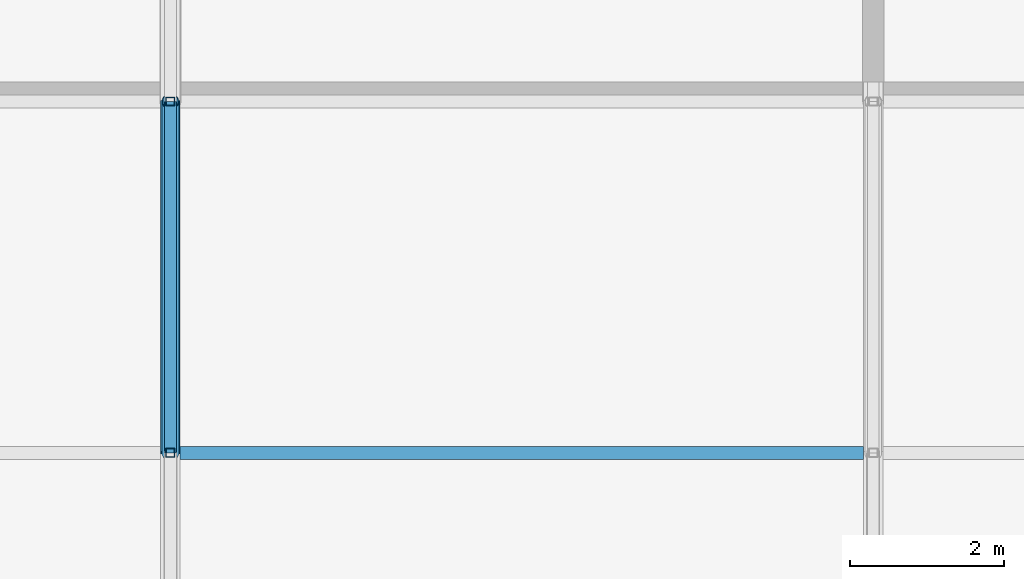
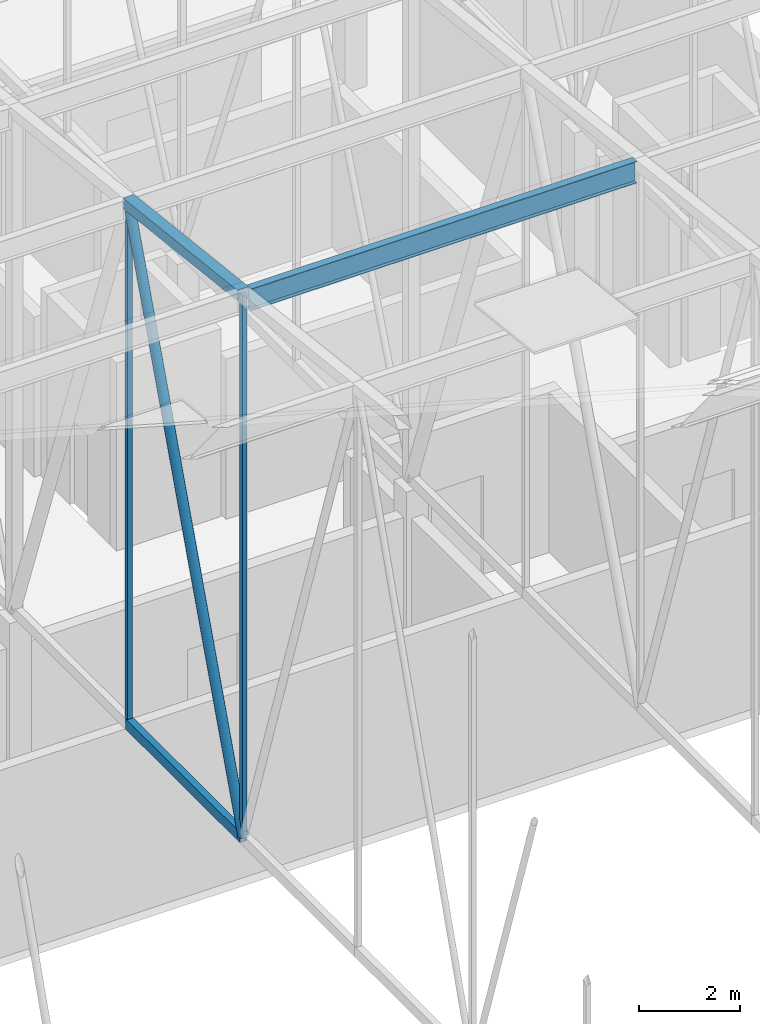
# One storey, part 177 of 500: 6 members.
"""IFC4 building model written with IfcOpenShell, lengths in metres."""

import ifcopenshell
import ifcopenshell.guid

model = None  # the IFC model being written
_history = None  # IfcOwnerHistory: only IFC2X3 demands one
_inside = {}  # id of a spatial element -> (the spatial element, [elements in it])
_under = {}  # id of a project, library or spatial element -> (it, [spatial elements below it])
_declared = {}  # id of a project -> (the project, [libraries it declares])
_typed = {}  # id of a type object -> (the type object, [elements of that type])
_made_of = {}  # id of a material, layer set ... -> (it, [elements and type objects made of it])


def new_model(schema):
    """Start an empty IFC model of exactly this schema.

    Asked for "IFC4X3", IfcOpenShell would pick the latest addendum, in which some entities
    have other attributes; the version numbers below select the first issue.
    IFC2X3 requires an IfcOwnerHistory on every rooted entity: one is made here for all.
    """
    global model, _history
    if schema == "IFC4X3":
        model = ifcopenshell.file(schema_version=(4, 3, 0, 0))
    else:
        model = ifcopenshell.file(schema=schema)
    _inside.clear()
    _under.clear()
    _declared.clear()
    _typed.clear()
    _made_of.clear()
    _history = None
    if model.schema == "IFC2X3":
        org = make("IfcOrganization", Name="unknown")
        user = make(
            "IfcPersonAndOrganization",
            ThePerson=make("IfcPerson", FamilyName="unknown"),
            TheOrganization=org,
        )
        app = make(
            "IfcApplication",
            ApplicationDeveloper=org,
            Version="unknown",
            ApplicationFullName="unknown",
            ApplicationIdentifier="unknown",
        )
        _history = make(
            "IfcOwnerHistory",
            OwningUser=user,
            OwningApplication=app,
            ChangeAction="ADDED",
            CreationDate=0,
        )
    return model


def make(cls, **values):
    """One entity of the class cls with the attributes given. An attribute that is None is left unset."""
    return model.create_entity(
        cls, **{name: value for name, value in values.items() if value is not None}
    )


def rooted(cls, **values):
    """An entity with a GlobalId (a new one), such as an element, a storey or a relation."""
    return make(cls, GlobalId=ifcopenshell.guid.new(), OwnerHistory=_history, **values)


def si_unit(unit_type, name, prefix=None):
    """IfcSIUnit, for example si_unit("LENGTHUNIT", "METRE", prefix="MILLI")."""
    return make("IfcSIUnit", UnitType=unit_type, Prefix=prefix, Name=name)


def assignment(units):
    """IfcUnitAssignment: the units of a project."""
    return None if units is None else make("IfcUnitAssignment", Units=units)


def point(xyz):
    """IfcCartesianPoint."""
    return None if xyz is None else make("IfcCartesianPoint", Coordinates=xyz)


def direction(xyz):
    """IfcDirection."""
    return None if xyz is None else make("IfcDirection", DirectionRatios=xyz)


def frame(location, z_axis=None, x_axis=None):
    """IfcAxis2Placement3D, a coordinate frame: its origin and axes. An axis left out is left unset."""
    return make(
        "IfcAxis2Placement3D",
        Location=point(location),
        Axis=direction(z_axis),
        RefDirection=direction(x_axis),
    )


def frame_2d(location, x_axis=None):
    """IfcAxis2Placement2D, a coordinate frame in the plane: its origin and x axis."""
    return make(
        "IfcAxis2Placement2D", Location=point(location), RefDirection=direction(x_axis)
    )


def origin():
    """The frame at (0, 0, 0) with its axes left unset."""
    return frame((0.0, 0.0, 0.0))


def origin_2d():
    """The frame at (0, 0) in the plane with its x axis left unset."""
    return frame_2d((0.0, 0.0))


def place(relative_to, where):
    """IfcLocalPlacement: puts the frame where relative to a parent placement (None: the world)."""
    return make(
        "IfcLocalPlacement", PlacementRelTo=relative_to, RelativePlacement=where
    )


def context(
    kind, dimensions, precision=None, world=None, true_north=None, identifier=None
):
    """IfcGeometricRepresentationContext, for example the 3D "Model" context."""
    return make(
        "IfcGeometricRepresentationContext",
        ContextIdentifier=identifier,
        ContextType=kind,
        CoordinateSpaceDimension=dimensions,
        Precision=precision,
        WorldCoordinateSystem=world,
        TrueNorth=true_north,
    )


def subcontext(parent, identifier, kind, view, scale=None):
    """IfcGeometricRepresentationSubContext, for example "Body" below "Model"."""
    return make(
        "IfcGeometricRepresentationSubContext",
        ContextIdentifier=identifier,
        ContextType=kind,
        ParentContext=parent,
        TargetScale=scale,
        TargetView=view,
    )


def project(units=None, contexts=None):
    """IfcProject with its units and contexts."""
    return rooted(
        "IfcProject",
        Name="project",
        RepresentationContexts=contexts,
        UnitsInContext=assignment(units),
    )


def spatial(cls, under=None, at=None, **own):
    """A site, building, storey or space (cls), placed at a placement, below another one or the project."""
    s = rooted(cls, ObjectPlacement=at, **own)
    if under is not None:
        _under.setdefault(under.id(), (under, []))[1].append(s)
    return s


def profile(cls, at=None, kind="AREA", **sizes):
    """A parametric profile (cls). Its sizes go by their IFC names, for example OverallWidth=200.0."""
    return make(cls, ProfileType=kind, Position=at, **sizes)


def hollow_rectangle(**sizes):
    """IfcRectangleHollowProfileDef."""
    return profile("IfcRectangleHollowProfileDef", **sizes)


def hollow_circle(**sizes):
    """IfcCircleHollowProfileDef."""
    return profile("IfcCircleHollowProfileDef", **sizes)


def i_section(**sizes):
    """IfcIShapeProfileDef."""
    return profile("IfcIShapeProfileDef", **sizes)


def extrude(swept, where, along, depth):
    """IfcExtrudedAreaSolid: the profile swept, set in the frame where, extruded along a direction by depth."""
    return make(
        "IfcExtrudedAreaSolid",
        SweptArea=swept,
        Position=where,
        ExtrudedDirection=direction(along),
        Depth=depth,
    )


def shape(context_of_items, identifier, shape_type, items):
    """IfcShapeRepresentation: the items that make up one representation, for example the "Body"."""
    return make(
        "IfcShapeRepresentation",
        ContextOfItems=context_of_items,
        RepresentationIdentifier=identifier,
        RepresentationType=shape_type,
        Items=items,
    )


def material(Name=None, Category=None):
    """IfcMaterial."""
    return make("IfcMaterial", Name=Name, Category=Category)


def material_profile(
    of_material, cross_section, Name=None, Category=None, Priority=None
):
    """IfcMaterialProfile: a cross section and its material."""
    return make(
        "IfcMaterialProfile",
        Name=Name,
        Material=of_material,
        Profile=cross_section,
        Priority=Priority,
        Category=Category,
    )


def profile_set(profiles, Name=None, composite=None):
    """IfcMaterialProfileSet."""
    return make(
        "IfcMaterialProfileSet",
        Name=Name,
        MaterialProfiles=profiles,
        CompositeProfile=composite,
    )


def made_of(thing, what):
    """Note that an element or type object is made of a material, layer set ...; save() writes the relation."""
    if what is not None:
        _made_of.setdefault(what.id(), (what, []))[1].append(thing)
    return thing


def type_object(cls, material=None, **own):
    """A type object (cls), such as IfcWallType, which elements share."""
    return made_of(rooted(cls, **own), material)


def element(
    cls,
    number,
    at=None,
    inside=None,
    cuts=None,
    type_object=None,
    material=None,
    context=None,
    identifier="Body",
    shape_type=None,
    held_by="IfcProductDefinitionShape",
    body=None,
    shapes=None,
    **own,
):
    """One element of the class cls, such as IfcWall. Its Tag is "e" and its number.

    at: its placement. inside: the storey or other place that contains it. cuts: it is an
    opening in that element (IfcRelVoidsElement). A single representation is given by context,
    identifier, shape_type and body (its items); several are given by shapes. held_by: the class
    of the entity that holds the representations. save() writes the other relations.
    """
    e = rooted(cls, Tag="e%d" % number, ObjectPlacement=at, **own)
    if body is not None:
        shapes = [shape(context, identifier, shape_type, body)]
    if shapes is not None:
        e.Representation = make(held_by, Representations=shapes)
    if inside is not None:
        _inside.setdefault(inside.id(), (inside, []))[1].append(e)
    if cuts is not None:
        rooted(
            "IfcRelVoidsElement", RelatingBuildingElement=cuts, RelatedOpeningElement=e
        )
    if type_object is not None:
        _typed.setdefault(type_object.id(), (type_object, []))[1].append(e)
    return made_of(e, material)


def aggregate(whole, parts):
    """IfcRelAggregates: a whole, such as a stair, and the parts it consists of."""
    return rooted("IfcRelAggregates", RelatingObject=whole, RelatedObjects=parts)


def save(model, path):
    """Write the relations noted so far, then the file.

    IfcRelAggregates (storeys below a building ...), IfcRelContainedInSpatialStructure (elements
    in a storey), IfcRelDefinesByType, IfcRelAssociatesMaterial and IfcRelDeclares: one each for
    every whole, place, type object, material and project.
    """
    for whole, parts in _under.values():
        aggregate(whole, parts)
    for where, things in _inside.values():
        rooted(
            "IfcRelContainedInSpatialStructure",
            RelatedElements=things,
            RelatingStructure=where,
        )
    for kind, things in _typed.values():
        rooted("IfcRelDefinesByType", RelatedObjects=things, RelatingType=kind)
    for what, things in _made_of.values():
        rooted("IfcRelAssociatesMaterial", RelatedObjects=things, RelatingMaterial=what)
    for by, libraries in _declared.values():
        rooted("IfcRelDeclares", RelatingContext=by, RelatedDefinitions=libraries)
    model.write(path)


model = new_model("IFC4")

# Units and contexts
model_context = context("Model", 3, precision=1e-05, world=origin(), true_north=direction((0.0, 1.0)))
body_context = subcontext(model_context, "Body", "Model", "MODEL_VIEW")
ifc_project = project(units=[si_unit("LENGTHUNIT", "METRE"), si_unit("AREAUNIT", "SQUARE_METRE"), si_unit("VOLUMEUNIT", "CUBIC_METRE"), si_unit("PLANEANGLEUNIT", "RADIAN"), si_unit("MASSUNIT", "GRAM", prefix="KILO")], contexts=[model_context])

# Site, building, storey
site_placement = place(None, origin())
site = spatial("IfcSite", under=ifc_project, at=site_placement, CompositionType="ELEMENT")
building_placement = place(site_placement, origin())
building = spatial("IfcBuilding", under=site, at=building_placement, Name="Shirokan Park Arena", CompositionType="ELEMENT")
storey_placement = place(building_placement, frame((0.0, 0.0, 29.1201171875)))
storey = spatial("IfcBuildingStorey", under=building, at=storey_placement, Name="L06", CompositionType="ELEMENT", Elevation=29.1201171875)

# Members
ifc_material_1 = material(Name="Steel ASTM A500 Grade C", Category="steel")
ifc_material_profile_1 = material_profile(ifc_material_1, hollow_rectangle(XDim=0.152099609375, YDim=0.25390625, WallThickness=0.009521484375, at=origin_2d()), Name="HSS254X152.4X9.5")
ifc_profile_set_1 = profile_set([ifc_material_profile_1], Name="Steel ASTM A500 Grade C")
member_type_1 = type_object("IfcMemberType", Name="Bottom chord HSS254X152.4X9.5", PredefinedType="CHORD", material=ifc_profile_set_1)
member_1_placement = place(storey_placement, frame((18.199951171875, 63.699951171875, 4.677001953125), z_axis=(0.0, 1.0, 0.0), x_axis=(-1.0, 0.0, 0.0)))
element("IfcMember", 1, at=member_1_placement, inside=storey, type_object=member_type_1, Name="Truss T03 bottom chord 17", PredefinedType="CHORD", context=body_context, shape_type="SweptSolid", body=[
    extrude(hollow_rectangle(XDim=0.152099609375, YDim=0.25390625, WallThickness=0.009521484375, at=origin_2d()), origin(), (0.0, 0.0, 1.0), 4.550048828125),
])
ifc_material_2 = material(Name="Steel ASTM A992", Category="steel")
ifc_material_profile_2 = material_profile(ifc_material_2, i_section(OverallWidth=0.166015625, OverallDepth=0.528076171875, WebThickness=0.009765625, FlangeThickness=0.013671875, at=origin_2d()), Name="W530X74")
ifc_profile_set_2 = profile_set([ifc_material_profile_2], Name="Steel ASTM A992")
member_type_2 = type_object("IfcMemberType", Name="Purlin W530X74", PredefinedType="PURLIN", material=ifc_profile_set_2)
member_2_placement = place(storey_placement, frame((18.326904296875, 63.699951171875, 17.685791015625), z_axis=(1.0, 0.0, 0.0), x_axis=(0.0, 1.0, 0.0)))
element("IfcMember", 2, at=member_2_placement, inside=storey, type_object=member_type_2, Name="Purlin 17 bay 3", PredefinedType="PURLIN", context=body_context, shape_type="SweptSolid", body=[
    extrude(i_section(OverallWidth=0.166015625, OverallDepth=0.528076171875, WebThickness=0.009765625, FlangeThickness=0.013671875, at=origin_2d()), origin(), (0.0, 0.0, 1.0), 8.84619140625),
])
ifc_material_profile_3 = material_profile(ifc_material_1, hollow_rectangle(XDim=0.25390625, YDim=0.25390625, WallThickness=0.009521484375, at=origin_2d()), Name="HSS254X254X9.5")
ifc_profile_set_3 = profile_set([ifc_material_profile_3], Name="Steel ASTM A500 Grade C")
member_type_3 = type_object("IfcMemberType", Name="Top chord HSS254X254X9.5", PredefinedType="CHORD", material=ifc_profile_set_3)
member_3_placement = place(storey_placement, frame((18.199951171875, 63.699951171875, 17.822998046875), z_axis=(0.0, 0.993532328996, -0.113549598152), x_axis=(-1.0, 0.0, 0.0)))
element("IfcMember", 3, at=member_3_placement, inside=storey, type_object=member_type_3, Name="Truss T03 top chord 17", PredefinedType="CHORD", context=body_context, shape_type="SweptSolid", body=[
    extrude(hollow_rectangle(XDim=0.25390625, YDim=0.25390625, WallThickness=0.009521484375, at=origin_2d()), origin(), (0.0, 0.0, 1.0), 4.57958984375),
])
ifc_material_profile_4 = material_profile(ifc_material_1, hollow_circle(Radius=0.109619140625, WallThickness=0.009521484375, at=origin_2d()), Name="HSS219.1X9.5")
ifc_profile_set_4 = profile_set([ifc_material_profile_4], Name="Steel ASTM A500 Grade C")
member_type_4 = type_object("IfcMemberType", Name="Truss diagonal HSS219.1X9.5", PredefinedType="BRACE", material=ifc_profile_set_4)
member_4_placement = place(storey_placement, frame((18.199951171875, 63.699951171875, 4.677001953125), z_axis=(0.0, 0.339029292845, 0.940775817394), x_axis=(-1.0, 0.0, 0.0)))
element("IfcMember", 4, at=member_4_placement, inside=storey, type_object=member_type_4, Name="Truss T03 diagonal 17", PredefinedType="BRACE", context=body_context, shape_type="SweptSolid", body=[
    extrude(hollow_circle(Radius=0.109619140625, WallThickness=0.009521484375, at=origin_2d()), origin(), (0.0, 0.0, 1.0), 13.4208984375),
])
ifc_material_profile_5 = material_profile(ifc_material_1, hollow_rectangle(XDim=0.114013671875, YDim=0.114013671875, WallThickness=0.00634765625, at=origin_2d()), Name="HSS114.3X114.3X6.4")
ifc_profile_set_5 = profile_set([ifc_material_profile_5], Name="Steel ASTM A500 Grade C")
member_type_5 = type_object("IfcMemberType", Name="Truss post HSS114.3X114.3X6.4", PredefinedType="POST", material=ifc_profile_set_5)
member_5_placement = place(storey_placement, frame((18.199951171875, 63.699951171875, 4.677001953125), z_axis=(0.0, 0.0, 1.0), x_axis=(1.0, 0.0, 0.0)))
element("IfcMember", 5, at=member_5_placement, inside=storey, type_object=member_type_5, Name="Truss T03 post 17", PredefinedType="POST", context=body_context, shape_type="SweptSolid", body=[
    extrude(hollow_rectangle(XDim=0.114013671875, YDim=0.114013671875, WallThickness=0.00634765625, at=origin_2d()), origin(), (0.0, 0.0, 1.0), 13.14599609375),
])
member_6_placement = place(storey_placement, frame((18.199951171875, 68.25, 4.677001953125), z_axis=(0.0, 0.0, 1.0), x_axis=(1.0, 0.0, 0.0)))
element("IfcMember", 6, at=member_6_placement, inside=storey, type_object=member_type_5, Name="Truss T03 post 18", PredefinedType="POST", context=body_context, shape_type="SweptSolid", body=[
    extrude(hollow_rectangle(XDim=0.114013671875, YDim=0.114013671875, WallThickness=0.00634765625, at=origin_2d()), origin(), (0.0, 0.0, 1.0), 12.6259765625),
])

save(model, "model.ifc")
